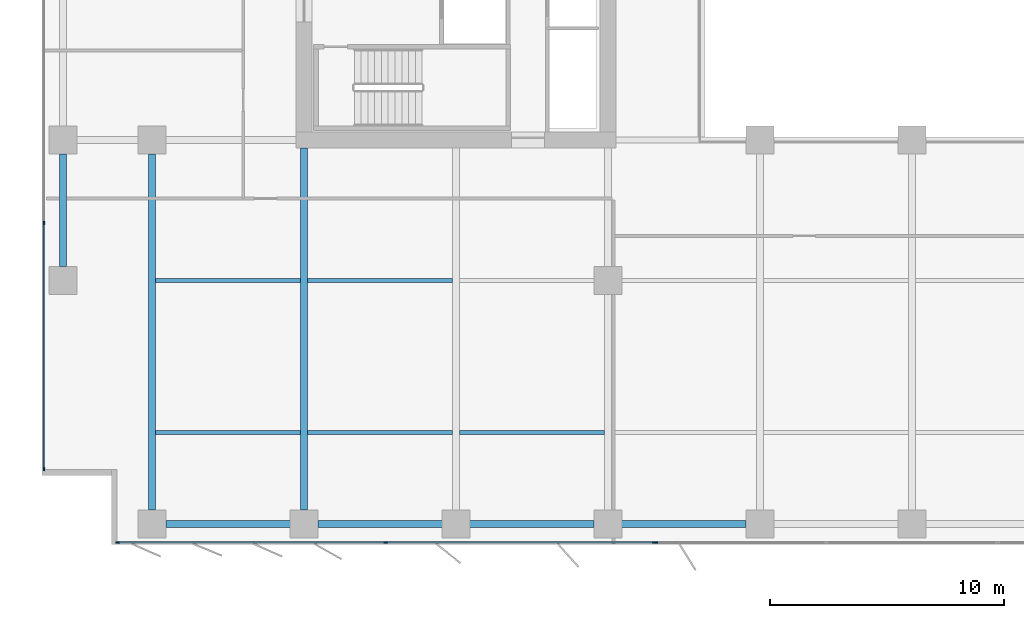
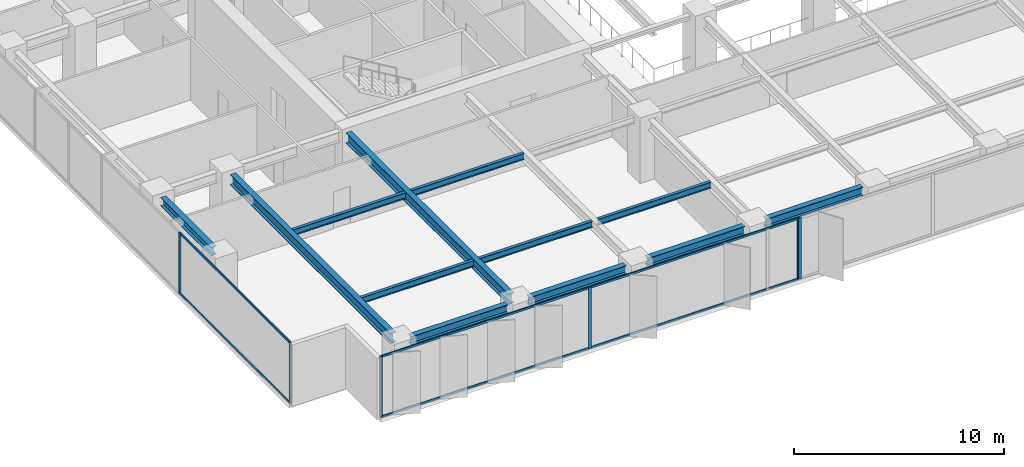
# One storey, part 2 of 20: 12 beams, 12 members, 3 elements without a shape of their own.
"""IFC4 building model written with IfcOpenShell, lengths in metres."""

from ifc_helpers import new_model, si_unit, direction, frame, origin, origin_2d, place, context, subcontext, project, spatial, rectangle, i_section, extrude, material, layer, layer_set, material_profile, profile_set, type_object, element, aggregate, save


model = new_model("IFC4")

# Units and contexts
model_context = context("Model", 3, precision=1e-05, world=origin(), true_north=direction((0.0, 1.0)))
body_context = subcontext(model_context, "Body", "Model", "MODEL_VIEW")
ifc_project = project(units=[si_unit("LENGTHUNIT", "METRE"), si_unit("AREAUNIT", "SQUARE_METRE"), si_unit("VOLUMEUNIT", "CUBIC_METRE"), si_unit("PLANEANGLEUNIT", "RADIAN"), si_unit("MASSUNIT", "GRAM", prefix="KILO")], contexts=[model_context])

# Site, building, storey
site_placement = place(None, origin())
site = spatial("IfcSite", under=ifc_project, at=site_placement, CompositionType="ELEMENT")
building_placement = place(site_placement, origin())
building = spatial("IfcBuilding", under=site, at=building_placement, Name="Putna Gate Headquarters", CompositionType="ELEMENT")
storey_placement = place(building_placement, frame((0.0, 0.0, 89.800048828125)))
storey = spatial("IfcBuildingStorey", under=building, at=storey_placement, Name="L21", CompositionType="ELEMENT", Elevation=89.800048828125)

# Beams
ifc_material_1 = material(Name="Steel S355J2", Category="steel")
ifc_material_profile_1 = material_profile(ifc_material_1, i_section(OverallWidth=0.300048828125, OverallDepth=0.60009765625, WebThickness=0.015380859375, FlangeThickness=0.030029296875, at=origin_2d()), Name="Steel S355J2")
ifc_profile_set_1 = profile_set([ifc_material_profile_1], Name="Steel S355J2")
beam_type_1 = type_object("IfcBeamType", Name="BM-GIRD-Z2-HEB600", PredefinedType="USERDEFINED", material=ifc_profile_set_1)
beam_1_placement = place(storey_placement, frame((6.5, 3.16796875, 3.264892578125), z_axis=(0.0, 1.0, 0.0), x_axis=(-1.0, 0.0, 0.0)))
element("IfcBeam", 1, at=beam_1_placement, inside=storey, type_object=beam_type_1, Name="L21 South Primary Girder X6", ObjectType="GIRDER", PredefinedType="USERDEFINED", context=body_context, shape_type="SweptSolid", body=[
    extrude(i_section(OverallWidth=0.300048828125, OverallDepth=0.60009765625, WebThickness=0.015380859375, FlangeThickness=0.030029296875, at=origin_2d()), origin(), (0.0, 0.0, 1.0), 15.244140625),
])
beam_2_placement = place(storey_placement, frame((13.0, 3.16796875, 3.264892578125), z_axis=(0.0, 1.0, 0.0), x_axis=(-1.0, 0.0, 0.0)))
element("IfcBeam", 2, at=beam_2_placement, inside=storey, type_object=beam_type_1, Name="L21 South Primary Girder X13", ObjectType="GIRDER", PredefinedType="USERDEFINED", context=body_context, shape_type="SweptSolid", body=[
    extrude(i_section(OverallWidth=0.300048828125, OverallDepth=0.60009765625, WebThickness=0.015380859375, FlangeThickness=0.030029296875, at=origin_2d()), origin(), (0.0, 0.0, 1.0), 15.4970703125),
])
ifc_material_profile_2 = material_profile(ifc_material_1, i_section(OverallWidth=0.169921875, OverallDepth=0.360107421875, WebThickness=0.008056640625, FlangeThickness=0.0126953125, at=origin_2d()), Name="Steel S355J2")
ifc_profile_set_2 = profile_set([ifc_material_profile_2], Name="Steel S355J2")
beam_type_2 = type_object("IfcBeamType", Name="BM-SEC-Z2-IPE360", PredefinedType="BEAM", material=ifc_profile_set_2)
for number, where, z_axis, x_axis, name in (
    (3, (6.654052734375, 6.5, 3.385009765625), (1.0, 0.0, 0.0), (0.0, 1.0, 0.0), "L21 South Secondary Beam 1"),
    (4, (6.654052734375, 13.0, 3.385009765625), (1.0, 0.0, 0.0), (0.0, 1.0, 0.0), "L21 South Secondary Beam 1"),
    (5, (13.154052734375, 6.5, 3.385009765625), (1.0, 0.0, 0.0), (0.0, 1.0, 0.0), "L21 South Secondary Beam 2"),
    (6, (13.154052734375, 13.0, 3.385009765625), (1.0, 0.0, 0.0), (0.0, 1.0, 0.0), "L21 South Secondary Beam 2"),
    (7, (19.654052734375, 6.5, 3.385009765625), (1.0, 0.0, 0.0), (0.0, 1.0, 0.0), "L21 South Secondary Beam 3"),
):
    element("IfcBeam", number, at=place(storey_placement, frame(where, z_axis=z_axis, x_axis=x_axis)), inside=storey, type_object=beam_type_2, Name=name, PredefinedType="BEAM", context=body_context, shape_type="SweptSolid", body=[
        extrude(i_section(OverallWidth=0.169921875, OverallDepth=0.360107421875, WebThickness=0.008056640625, FlangeThickness=0.0126953125, at=origin_2d()), origin(), (0.0, 0.0, 1.0), 6.19189453125),
    ])
ifc_material_profile_3 = material_profile(ifc_material_1, i_section(OverallWidth=0.300048828125, OverallDepth=0.489990234375, WebThickness=0.011962890625, FlangeThickness=0.02294921875, at=origin_2d()), Name="Steel S355J2")
ifc_profile_set_3 = profile_set([ifc_material_profile_3], Name="Steel S355J2")
beam_type_3 = type_object("IfcBeamType", Name="BM-SPAN-Z2-HEA500", PredefinedType="SPANDREL", material=ifc_profile_set_3)
for number, where, z_axis, x_axis, name in (
    (8, (7.087890625, 2.580078125, 3.320068359375), (1.0, 0.0, 0.0), (0.0, 1.0, 0.0), "L21 S Perimeter Spandrel 1"),
    (9, (13.587890625, 2.580078125, 3.320068359375), (1.0, 0.0, 0.0), (0.0, 1.0, 0.0), "L21 S Perimeter Spandrel 2"),
    (10, (20.087890625, 2.580078125, 3.320068359375), (1.0, 0.0, 0.0), (0.0, 1.0, 0.0), "L21 S Perimeter Spandrel 3"),
    (11, (26.587890625, 2.580078125, 3.320068359375), (1.0, 0.0, 0.0), (0.0, 1.0, 0.0), "L21 S Perimeter Spandrel 4"),
):
    element("IfcBeam", number, at=place(storey_placement, frame(where, z_axis=z_axis, x_axis=x_axis)), inside=storey, type_object=beam_type_3, Name=name, PredefinedType="SPANDREL", context=body_context, shape_type="SweptSolid", body=[
        extrude(i_section(OverallWidth=0.300048828125, OverallDepth=0.489990234375, WebThickness=0.011962890625, FlangeThickness=0.02294921875, at=origin_2d()), origin(), (0.0, 0.0, 1.0), 5.32421875),
    ])
beam_3_placement = place(storey_placement, frame((2.679931640625, 13.587890625, 3.320068359375), z_axis=(0.0, 1.0, 0.0), x_axis=(-1.0, 0.0, 0.0)))
element("IfcBeam", 12, at=beam_3_placement, inside=storey, type_object=beam_type_3, Name="L21 W End Spandrel 1", PredefinedType="SPANDREL", context=body_context, shape_type="SweptSolid", body=[
    extrude(i_section(OverallWidth=0.300048828125, OverallDepth=0.489990234375, WebThickness=0.011962890625, FlangeThickness=0.02294921875, at=origin_2d()), origin(), (0.0, 0.0, 1.0), 4.82421875),
])

# Curtain wall, members
ifc_material_2 = material(Name="Anodised bronze aluminium curtain wall", Category="aluminium")
ifc_layer_1 = layer(ifc_material_2, 0.159912109375)
ifc_layer_set_1 = layer_set([ifc_layer_1], Name="Anodised bronze aluminium curtain wall")
curtain_wall_type_1 = type_object("IfcCurtainWallType", Name="CW-SYS-Z2", PredefinedType="USERDEFINED", material=ifc_layer_set_1)
curtain_wall_1_placement = place(storey_placement, origin())
curtain_wall_1 = element("IfcCurtainWall", 13, at=curtain_wall_1_placement, inside=storey, type_object=curtain_wall_type_1, Name="L21 South West Curtain Wall", ObjectType="STICK CURTAIN WALL", PredefinedType="USERDEFINED")
ifc_material_3 = material(Name="Anodised bronze aluminium EN AW-6060", Category="aluminium")
ifc_material_profile_4 = material_profile(ifc_material_3, rectangle(XDim=0.06494140625, YDim=0.159912109375, at=origin_2d()), Name="Anodised bronze aluminium EN AW-6060")
ifc_profile_set_4 = profile_set([ifc_material_profile_4], Name="Anodised bronze aluminium EN AW-6060")
member_type_1 = type_object("IfcMemberType", Name="MULL-CWM-2", PredefinedType="MULLION", material=ifc_profile_set_4)
member_1_placement = place(storey_placement, frame((5.032470703125, 1.780029296875, 0.0), z_axis=(0.0, 0.0, 1.0), x_axis=(0.0, 1.0, 0.0)))
member_1 = element("IfcMember", 14, at=member_1_placement, type_object=member_type_1, Name="CWS-2 mullion 1", PredefinedType="MULLION", context=body_context, shape_type="SweptSolid", body=[
    extrude(rectangle(XDim=0.06494140625, YDim=0.159912109375, at=origin_2d()), origin(), (0.0, 0.0, 1.0), 3.56494140625),
])
member_2_placement = place(storey_placement, frame((16.5, 1.780029296875, 0.0), z_axis=(0.0, 0.0, 1.0), x_axis=(0.0, 1.0, 0.0)))
member_2 = element("IfcMember", 15, at=member_2_placement, type_object=member_type_1, Name="CWS-2 mullion 2", PredefinedType="MULLION", context=body_context, shape_type="SweptSolid", body=[
    extrude(rectangle(XDim=0.06494140625, YDim=0.159912109375, at=origin_2d()), origin(), (0.0, 0.0, 1.0), 3.56494140625),
])
member_3_placement = place(storey_placement, frame((27.967529296875, 1.780029296875, 0.0), z_axis=(0.0, 0.0, 1.0), x_axis=(0.0, 1.0, 0.0)))
member_3 = element("IfcMember", 16, at=member_3_placement, type_object=member_type_1, Name="CWS-2 mullion 3", PredefinedType="MULLION", context=body_context, shape_type="SweptSolid", body=[
    extrude(rectangle(XDim=0.06494140625, YDim=0.159912109375, at=origin_2d()), origin(), (0.0, 0.0, 1.0), 3.56494140625),
])

curtain_wall_2_placement = place(storey_placement, origin())
curtain_wall_2 = element("IfcCurtainWall", 17, at=curtain_wall_2_placement, inside=storey, type_object=curtain_wall_type_1, Name="L21 West Curtain Wall", ObjectType="STICK CURTAIN WALL", PredefinedType="USERDEFINED")
member_4_placement = place(storey_placement, frame((1.8798828125, 4.9326171875, 0.0), z_axis=(0.0, 0.0, 1.0), x_axis=(-1.0, 0.0, 0.0)))
member_4 = element("IfcMember", 18, at=member_4_placement, type_object=member_type_1, Name="CWS-2 mullion 1", PredefinedType="MULLION", context=body_context, shape_type="SweptSolid", body=[
    extrude(rectangle(XDim=0.06494140625, YDim=0.159912109375, at=origin_2d()), origin(), (0.0, 0.0, 1.0), 3.56494140625),
])
member_5_placement = place(storey_placement, frame((1.8798828125, 15.449951171875, 0.0), z_axis=(0.0, 0.0, 1.0), x_axis=(-1.0, 0.0, 0.0)))
member_5 = element("IfcMember", 19, at=member_5_placement, type_object=member_type_1, Name="CWS-2 mullion 2", PredefinedType="MULLION", context=body_context, shape_type="SweptSolid", body=[
    extrude(rectangle(XDim=0.06494140625, YDim=0.159912109375, at=origin_2d()), origin(), (0.0, 0.0, 1.0), 3.56494140625),
])

# Curtain wall, member
ifc_layer_2 = layer(ifc_material_2, 0.179931640625)
ifc_layer_set_2 = layer_set([ifc_layer_2], Name="Anodised bronze aluminium curtain wall")
curtain_wall_type_2 = type_object("IfcCurtainWallType", Name="CW-SYS-ATR", PredefinedType="USERDEFINED", material=ifc_layer_set_2)
curtain_wall_3_placement = place(storey_placement, origin())
curtain_wall_3 = element("IfcCurtainWall", 20, at=curtain_wall_3_placement, inside=storey, type_object=curtain_wall_type_2, Name="L21 South Atrium Clear Glazing", ObjectType="ATRIUM GLAZING", PredefinedType="USERDEFINED")
ifc_material_profile_5 = material_profile(ifc_material_3, rectangle(XDim=0.070068359375, YDim=0.179931640625, at=origin_2d()), Name="Anodised bronze aluminium EN AW-6060")
ifc_profile_set_5 = profile_set([ifc_material_profile_5], Name="Anodised bronze aluminium EN AW-6060")
member_type_2 = type_object("IfcMemberType", Name="MULL-CWM-AT", PredefinedType="MULLION", material=ifc_profile_set_5)
member_6_placement = place(storey_placement, frame((28.034912109375, 1.780029296875, 0.0), z_axis=(0.0, 0.0, 1.0), x_axis=(0.0, 1.0, 0.0)))
member_6 = element("IfcMember", 21, at=member_6_placement, type_object=member_type_2, Name="CWS-AT mullion 1", PredefinedType="MULLION", context=body_context, shape_type="SweptSolid", body=[
    extrude(rectangle(XDim=0.070068359375, YDim=0.179931640625, at=origin_2d()), origin(), (0.0, 0.0, 1.0), 3.56494140625),
])
aggregate(curtain_wall_3, [member_6])

# Member
ifc_material_profile_6 = material_profile(ifc_material_3, rectangle(XDim=0.06494140625, YDim=0.1201171875, at=origin_2d()), Name="Anodised bronze aluminium EN AW-6060")
ifc_profile_set_6 = profile_set([ifc_material_profile_6], Name="Anodised bronze aluminium EN AW-6060")
member_type_3 = type_object("IfcMemberType", Name="TRAN-CWT-2", PredefinedType="USERDEFINED", material=ifc_profile_set_6)
member_7_placement = place(storey_placement, frame((5.06494140625, 1.780029296875, 0.032470703125), z_axis=(1.0, 0.0, 0.0), x_axis=(0.0, 1.0, 0.0)))
member_7 = element("IfcMember", 22, at=member_7_placement, type_object=member_type_3, Name="CWS-2 transom 1.1", ObjectType="TRANSOM", PredefinedType="USERDEFINED", context=body_context, shape_type="SweptSolid", body=[
    extrude(rectangle(XDim=0.06494140625, YDim=0.1201171875, at=origin_2d()), origin(), (0.0, 0.0, 1.0), 11.402587890625),
])

member_8_placement = place(storey_placement, frame((5.06494140625, 1.780029296875, 3.532470703125), z_axis=(1.0, 0.0, 0.0), x_axis=(0.0, 1.0, 0.0)))
member_8 = element("IfcMember", 23, at=member_8_placement, type_object=member_type_3, Name="CWS-2 transom 1.2", ObjectType="TRANSOM", PredefinedType="USERDEFINED", context=body_context, shape_type="SweptSolid", body=[
    extrude(rectangle(XDim=0.06494140625, YDim=0.1201171875, at=origin_2d()), origin(), (0.0, 0.0, 1.0), 11.402587890625),
])

member_9_placement = place(storey_placement, frame((16.532470703125, 1.780029296875, 0.032470703125), z_axis=(1.0, 0.0, 0.0), x_axis=(0.0, 1.0, 0.0)))
member_9 = element("IfcMember", 24, at=member_9_placement, type_object=member_type_3, Name="CWS-2 transom 2.1", ObjectType="TRANSOM", PredefinedType="USERDEFINED", context=body_context, shape_type="SweptSolid", body=[
    extrude(rectangle(XDim=0.06494140625, YDim=0.1201171875, at=origin_2d()), origin(), (0.0, 0.0, 1.0), 11.402587890625),
])

member_10_placement = place(storey_placement, frame((16.532470703125, 1.780029296875, 3.532470703125), z_axis=(1.0, 0.0, 0.0), x_axis=(0.0, 1.0, 0.0)))
member_10 = element("IfcMember", 25, at=member_10_placement, type_object=member_type_3, Name="CWS-2 transom 2.2", ObjectType="TRANSOM", PredefinedType="USERDEFINED", context=body_context, shape_type="SweptSolid", body=[
    extrude(rectangle(XDim=0.06494140625, YDim=0.1201171875, at=origin_2d()), origin(), (0.0, 0.0, 1.0), 11.402587890625),
])

aggregate(curtain_wall_1, [member_1, member_2, member_3, member_7, member_8, member_9, member_10])

member_11_placement = place(storey_placement, frame((1.8798828125, 4.965087890625, 0.032470703125), z_axis=(0.0, 1.0, 0.0), x_axis=(-1.0, 0.0, 0.0)))
member_11 = element("IfcMember", 26, at=member_11_placement, type_object=member_type_3, Name="CWS-2 transom 1.1", ObjectType="TRANSOM", PredefinedType="USERDEFINED", context=body_context, shape_type="SweptSolid", body=[
    extrude(rectangle(XDim=0.06494140625, YDim=0.1201171875, at=origin_2d()), origin(), (0.0, 0.0, 1.0), 10.452392578125),
])

member_12_placement = place(storey_placement, frame((1.8798828125, 4.965087890625, 3.532470703125), z_axis=(0.0, 1.0, 0.0), x_axis=(-1.0, 0.0, 0.0)))
member_12 = element("IfcMember", 27, at=member_12_placement, type_object=member_type_3, Name="CWS-2 transom 1.2", ObjectType="TRANSOM", PredefinedType="USERDEFINED", context=body_context, shape_type="SweptSolid", body=[
    extrude(rectangle(XDim=0.06494140625, YDim=0.1201171875, at=origin_2d()), origin(), (0.0, 0.0, 1.0), 10.452392578125),
])

aggregate(curtain_wall_2, [member_4, member_5, member_11, member_12])

save(model, "model.ifc")
